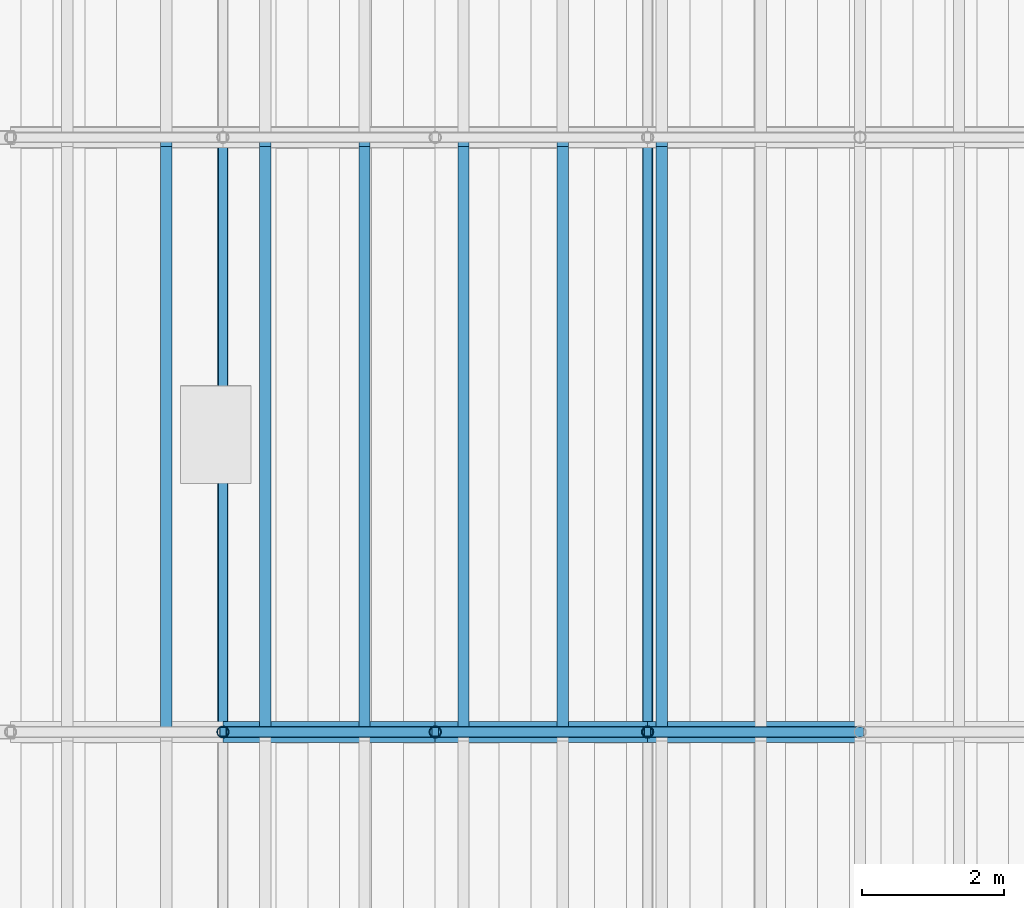
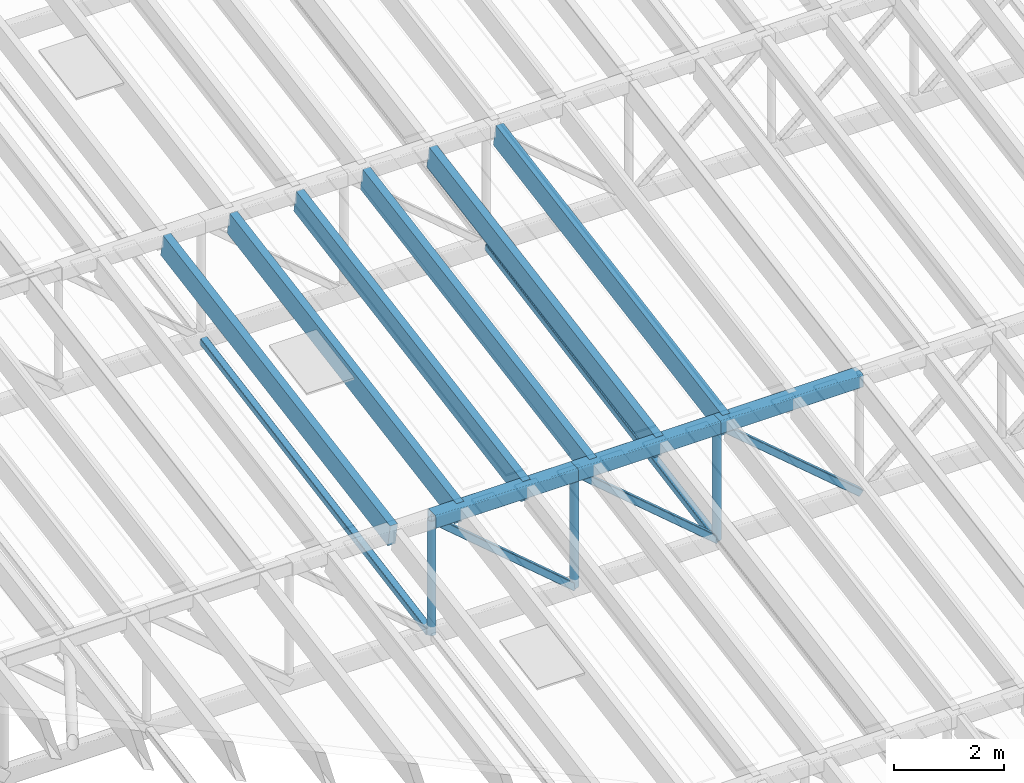
# One storey, part 16 of 91: 17 members.
"""IFC4 building model written with IfcOpenShell, lengths in metres."""

from ifc_helpers import new_model, si_unit, direction, frame, origin, origin_2d, place, context, subcontext, project, spatial, rectangle, hollow_rectangle, hollow_circle, extrude, material, material_profile, profile_set, type_object, element, save


model = new_model("IFC4")

# Units and contexts
model_context = context("Model", 3, precision=1e-05, world=origin(), true_north=direction((0.0, 1.0)))
body_context = subcontext(model_context, "Body", "Model", "MODEL_VIEW")
ifc_project = project(units=[si_unit("LENGTHUNIT", "METRE"), si_unit("AREAUNIT", "SQUARE_METRE"), si_unit("VOLUMEUNIT", "CUBIC_METRE"), si_unit("PLANEANGLEUNIT", "RADIAN"), si_unit("MASSUNIT", "GRAM", prefix="KILO")], contexts=[model_context])

# Site, building, storey
site_placement = place(None, origin())
site = spatial("IfcSite", under=ifc_project, at=site_placement, CompositionType="ELEMENT")
building_placement = place(site_placement, origin())
building = spatial("IfcBuilding", under=site, at=building_placement, Name="Almond Square Museum", CompositionType="ELEMENT")
storey_placement = place(building_placement, frame((0.0, 0.0, 30.0)))
storey = spatial("IfcBuildingStorey", under=building, at=storey_placement, Name="L05", CompositionType="ELEMENT", Elevation=30.0)

# Members
ifc_material_1 = material(Name="Glulam GL28h", Category="wood")
ifc_material_profile_1 = material_profile(ifc_material_1, rectangle(XDim=0.159912109375, YDim=0.5, at=origin_2d()))
ifc_profile_set_1 = profile_set([ifc_material_profile_1], Name="Glulam GL28h")
member_type_1 = type_object("IfcMemberType", Name="Glulam rafter GL28h 160x500", PredefinedType="RAFTER", material=ifc_profile_set_1)
for number, where, z_axis, x_axis, name in (
    (1, (118.0, 67.22998046875, 9.08984375), (0.0, 0.985027509143, 0.172397233827), (-1.0, 0.0, 0.0), "Hall rafter 3.9"),
    (2, (119.39990234375, 67.22998046875, 9.08984375), (0.0, 0.985027509143, 0.172397233827), (-1.0, 0.0, 0.0), "Hall rafter 3.10"),
    (3, (120.800048828125, 67.22998046875, 9.08984375), (0.0, 0.985027509143, 0.172397233827), (-1.0, 0.0, 0.0), "Hall rafter 3.11"),
    (4, (122.199951171875, 67.22998046875, 9.08984375), (0.0, 0.985027509143, 0.172397233827), (-1.0, 0.0, 0.0), "Hall rafter 3.12"),
    (5, (123.60009765625, 67.22998046875, 9.08984375), (0.0, 0.985027509143, 0.172397233827), (-1.0, 0.0, 0.0), "Hall rafter 3.13"),
    (6, (125.0, 67.22998046875, 9.08984375), (0.0, 0.985027509143, 0.172397233827), (-1.0, 0.0, 0.0), "Hall rafter 3.14"),
):
    element("IfcMember", number, at=place(storey_placement, frame(where, z_axis=z_axis, x_axis=x_axis)), inside=storey, type_object=member_type_1, Name=name, PredefinedType="RAFTER", context=body_context, shape_type="SweptSolid", body=[
        extrude(rectangle(XDim=0.159912109375, YDim=0.5, at=origin_2d()), origin(), (0.0, 0.0, 1.0), 8.4091796875),
    ])
ifc_material_2 = material(Name="Structural steel S355", Category="steel")
ifc_material_profile_2 = material_profile(ifc_material_2, hollow_rectangle(XDim=0.300048828125, YDim=0.300048828125, WallThickness=0.012451171875, InnerFilletRadius=0.02490234375, OuterFilletRadius=0.03759765625, at=origin_2d()))
ifc_profile_set_2 = profile_set([ifc_material_profile_2], Name="Structural steel S355")
member_type_2 = type_object("IfcMemberType", Name="Truss chord SHS 300x300x12.5", PredefinedType="CHORD", material=ifc_profile_set_2)
for number, where, z_axis, x_axis, name in (
    (7, (118.800048828125, 67.199951171875, 9.1884765625), (1.0, 0.0, 0.0), (0.0, 1.0, 0.0), "TR-03 top chord 5"),
    (8, (121.800048828125, 67.199951171875, 9.1884765625), (1.0, 0.0, 0.0), (0.0, 1.0, 0.0), "TR-03 top chord 6"),
    (9, (124.800048828125, 67.199951171875, 9.1884765625), (1.0, 0.0, 0.0), (0.0, 1.0, 0.0), "TR-03 top chord 7"),
):
    element("IfcMember", number, at=place(storey_placement, frame(where, z_axis=z_axis, x_axis=x_axis)), inside=storey, type_object=member_type_2, Name=name, PredefinedType="CHORD", context=body_context, shape_type="SweptSolid", body=[
        extrude(hollow_rectangle(XDim=0.300048828125, YDim=0.300048828125, WallThickness=0.012451171875, InnerFilletRadius=0.02490234375, OuterFilletRadius=0.03759765625, at=origin_2d()), origin(), (0.0, 0.0, 1.0), 3.0),
    ])
ifc_material_3 = material(Name="Structural steel S355", Category="steel")
ifc_material_profile_3 = material_profile(ifc_material_3, hollow_rectangle(XDim=0.14990234375, YDim=0.14990234375, WallThickness=0.008056640625, InnerFilletRadius=0.011962890625, OuterFilletRadius=0.02001953125, at=origin_2d()))
ifc_profile_set_3 = profile_set([ifc_material_profile_3], Name="Structural steel S355")
member_type_3 = type_object("IfcMemberType", Name="Truss diagonal SHS 150x150x8", PredefinedType="BRACE", material=ifc_profile_set_3)
for number, where, z_axis, x_axis, name in (
    (10, (118.800048828125, 67.199951171875, 9.1884765625), (0.762116801264, 0.0, -0.647439557975), (0.0, 1.0, 0.0), "TR-03 diagonal 5"),
    (11, (121.800048828125, 67.199951171875, 9.1884765625), (0.762116801264, 0.0, -0.647439557975), (0.0, 1.0, 0.0), "TR-03 diagonal 6"),
    (12, (124.800048828125, 67.199951171875, 9.1884765625), (0.762116801264, 0.0, -0.647439557975), (0.0, 1.0, 0.0), "TR-03 diagonal 7"),
):
    element("IfcMember", number, at=place(storey_placement, frame(where, z_axis=z_axis, x_axis=x_axis)), inside=storey, type_object=member_type_3, Name=name, PredefinedType="BRACE", context=body_context, shape_type="SweptSolid", body=[
        extrude(hollow_rectangle(XDim=0.14990234375, YDim=0.14990234375, WallThickness=0.008056640625, InnerFilletRadius=0.011962890625, OuterFilletRadius=0.02001953125, at=origin_2d()), origin(), (0.0, 0.0, 1.0), 3.9365234375),
    ])
ifc_material_4 = material(Name="Structural steel S355", Category="steel")
ifc_material_profile_4 = material_profile(ifc_material_4, hollow_circle(Radius=0.084228515625, WallThickness=0.008056640625, at=origin_2d()))
ifc_profile_set_4 = profile_set([ifc_material_profile_4], Name="Structural steel S355")
member_type_4 = type_object("IfcMemberType", Name="Truss post CHS 168.3x8", PredefinedType="POST", material=ifc_profile_set_4)
for number, where, z_axis, x_axis, name in (
    (13, (118.800048828125, 67.199951171875, 6.639892578125), (0.0, 0.0, 1.0), (1.0, 0.0, 0.0), "TR-03 post 5"),
    (14, (121.800048828125, 67.199951171875, 6.639892578125), (0.0, 0.0, 1.0), (1.0, 0.0, 0.0), "TR-03 post 6"),
    (15, (124.800048828125, 67.199951171875, 6.639892578125), (0.0, 0.0, 1.0), (1.0, 0.0, 0.0), "TR-03 post 7"),
):
    element("IfcMember", number, at=place(storey_placement, frame(where, z_axis=z_axis, x_axis=x_axis)), inside=storey, type_object=member_type_4, Name=name, PredefinedType="POST", context=body_context, shape_type="SweptSolid", body=[
        extrude(hollow_circle(Radius=0.084228515625, WallThickness=0.008056640625, at=origin_2d()), origin(), (0.0, 0.0, 1.0), 2.548583984375),
    ])
ifc_material_5 = material(Name="Structural steel S355", Category="steel")
ifc_material_profile_5 = material_profile(ifc_material_5, hollow_rectangle(XDim=0.14990234375, YDim=0.14990234375, WallThickness=0.008056640625, InnerFilletRadius=0.011962890625, OuterFilletRadius=0.02001953125, at=origin_2d()))
ifc_profile_set_5 = profile_set([ifc_material_profile_5], Name="Structural steel S355")
member_type_5 = type_object("IfcMemberType", Name="Truss tie SHS 150x150x8", PredefinedType="MEMBER", material=ifc_profile_set_5)
for number, where, z_axis, x_axis, name in (
    (16, (118.800048828125, 67.27490234375, 6.639892578125), (0.0, 0.984489455239, 0.175443758862), (-1.0, 0.0, 0.0), "Hall bay 3 tie 3"),
    (17, (124.800048828125, 67.27490234375, 6.639892578125), (0.0, 0.984489455239, 0.175443758862), (-1.0, 0.0, 0.0), "Hall bay 3 tie 4"),
):
    element("IfcMember", number, at=place(storey_placement, frame(where, z_axis=z_axis, x_axis=x_axis)), inside=storey, type_object=member_type_5, Name=name, PredefinedType="MEMBER", context=body_context, shape_type="SweptSolid", body=[
        extrude(hollow_rectangle(XDim=0.14990234375, YDim=0.14990234375, WallThickness=0.008056640625, InnerFilletRadius=0.011962890625, OuterFilletRadius=0.02001953125, at=origin_2d()), origin(), (0.0, 0.0, 1.0), 8.3798828125),
    ])

save(model, "model.ifc")
